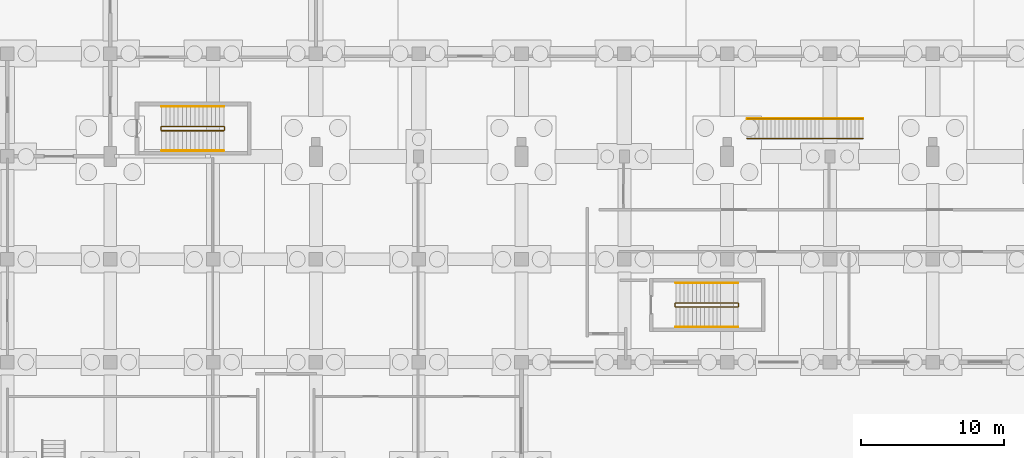
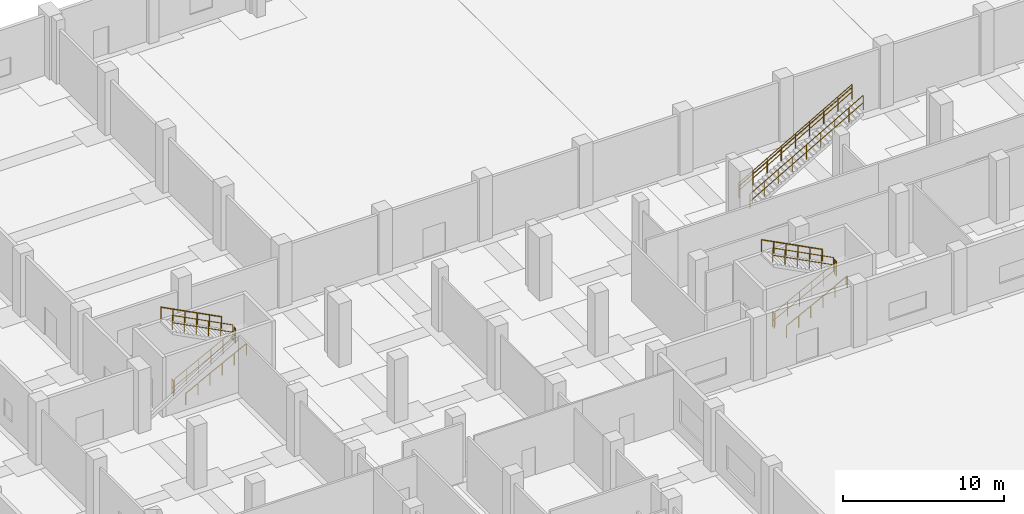
# One storey, part 43 of 48: 15 railings.
"""IFC4 building model written with IfcOpenShell, lengths in metres."""

from ifc_helpers import new_model, si_unit, direction, frame, origin, origin_2d, place, context, subcontext, project, spatial, circle, extrude, material, type_object, element, save


model = new_model("IFC4")

# Units and contexts
model_context = context("Model", 3, precision=1e-05, world=origin(), true_north=direction((0.0, 1.0)))
body_context = subcontext(model_context, "Body", "Model", "MODEL_VIEW")
ifc_project = project(units=[si_unit("LENGTHUNIT", "METRE"), si_unit("AREAUNIT", "SQUARE_METRE"), si_unit("VOLUMEUNIT", "CUBIC_METRE"), si_unit("PLANEANGLEUNIT", "RADIAN"), si_unit("MASSUNIT", "GRAM", prefix="KILO")], contexts=[model_context])

# Site, building, storey
site_placement = place(None, origin())
site = spatial("IfcSite", under=ifc_project, at=site_placement, CompositionType="ELEMENT")
building_placement = place(site_placement, origin())
building = spatial("IfcBuilding", under=site, at=building_placement, Name="Seraya Terrace Polytechnic", CompositionType="ELEMENT")
storey_placement = place(building_placement, origin())
storey = spatial("IfcBuildingStorey", under=building, at=storey_placement, Name="L00", CompositionType="ELEMENT", Elevation=0.0)

# Railings
ifc_material = material(Name="Steel S355J2", Category="steel")
railing_type_1 = type_object("IfcRailingType", Name="GR-02", PredefinedType="GUARDRAIL", material=ifc_material)
railing_1_placement = place(storey_placement, frame((54.0, 68.64990234375, 0.14990234375)))
element("IfcRailing", 1, at=railing_1_placement, inside=storey, type_object=railing_type_1, Name="L00 ST-06 stair guard 1", PredefinedType="GUARDRAIL", context=body_context, shape_type="SweptSolid", body=[
    extrude(circle(Radius=0.02392578125, at=origin_2d()), frame((0.0, 0.0, 1.10595703125), z_axis=(0.888221851817, 0.0, 0.459414782038), x_axis=(0.0, 1.0, 0.0)), (0.0, 0.0, 1.0), 4.8974609375),
    extrude(circle(Radius=0.02392578125, at=origin_2d()), frame((0.0, 0.0, 0.550048828125), z_axis=(0.888221851817, 0.0, 0.459414782038), x_axis=(0.0, 1.0, 0.0)), (0.0, 0.0, 1.0), 4.8974609375),
    extrude(circle(Radius=0.02099609375, at=origin_2d()), origin(), (0.0, 0.0, 1.0), 1.081787109375),
    extrude(circle(Radius=0.02099609375, at=origin_2d()), frame((0.8701171875, 0.0, 0.449951171875)), (0.0, 0.0, 1.0), 1.081787109375),
    extrude(circle(Radius=0.02099609375, at=origin_2d()), frame((1.739990234375, 0.0, 0.89990234375)), (0.0, 0.0, 1.0), 1.081787109375),
    extrude(circle(Radius=0.02099609375, at=origin_2d()), frame((2.610107421875, 0.0, 1.35009765625)), (0.0, 0.0, 1.0), 1.081787109375),
    extrude(circle(Radius=0.02099609375, at=origin_2d()), frame((3.47998046875, 0.0, 1.800048828125)), (0.0, 0.0, 1.0), 1.081787109375),
    extrude(circle(Radius=0.02099609375, at=origin_2d()), frame((4.35009765625, 0.0, 2.25)), (0.0, 0.0, 1.0), 1.081787109375),
])
railing_2_placement = place(storey_placement, frame((58.39990234375, 68.699951171875, 2.39990234375)))
element("IfcRailing", 2, at=railing_2_placement, inside=storey, type_object=railing_type_1, Name="L00 ST-06 stair guard 2", PredefinedType="GUARDRAIL", context=body_context, shape_type="SweptSolid", body=[
    extrude(circle(Radius=0.02392578125, at=origin_2d()), frame((0.0, 0.0, 1.10595703125), z_axis=(0.0, 1.0, 0.0), x_axis=(-1.0, 0.0, 0.0)), (0.0, 0.0, 1.0), 0.199951171875),
    extrude(circle(Radius=0.02392578125, at=origin_2d()), frame((0.0, 0.0, 0.550048828125), z_axis=(0.0, 1.0, 0.0), x_axis=(-1.0, 0.0, 0.0)), (0.0, 0.0, 1.0), 0.199951171875),
    extrude(circle(Radius=0.02099609375, at=origin_2d()), origin(), (0.0, 0.0, 1.0), 1.081787109375),
    extrude(circle(Radius=0.02099609375, at=origin_2d()), frame((0.0, 0.199951171875, 0.0)), (0.0, 0.0, 1.0), 1.081787109375),
])
railing_3_placement = place(storey_placement, frame((58.35009765625, 68.949951171875, 2.550048828125)))
element("IfcRailing", 3, at=railing_3_placement, inside=storey, type_object=railing_type_1, Name="L00 ST-06 stair guard 3", PredefinedType="GUARDRAIL", context=body_context, shape_type="SweptSolid", body=[
    extrude(circle(Radius=0.02392578125, at=origin_2d()), frame((0.0, 0.0, 1.10595703125), z_axis=(-0.888221851817, 0.0, 0.459414782038), x_axis=(0.0, -1.0, 0.0)), (0.0, 0.0, 1.0), 4.8974609375),
    extrude(circle(Radius=0.02392578125, at=origin_2d()), frame((0.0, 0.0, 0.550048828125), z_axis=(-0.888221851817, 0.0, 0.459414782038), x_axis=(0.0, -1.0, 0.0)), (0.0, 0.0, 1.0), 4.8974609375),
    extrude(circle(Radius=0.02099609375, at=origin_2d()), origin(), (0.0, 0.0, 1.0), 1.081787109375),
    extrude(circle(Radius=0.02099609375, at=origin_2d()), frame((-0.8701171875, 0.0, 0.449951171875)), (0.0, 0.0, 1.0), 1.081787109375),
    extrude(circle(Radius=0.02099609375, at=origin_2d()), frame((-1.739990234375, 0.0, 0.89990234375)), (0.0, 0.0, 1.0), 1.081787109375),
    extrude(circle(Radius=0.02099609375, at=origin_2d()), frame((-2.610107421875, 0.0, 1.35009765625)), (0.0, 0.0, 1.0), 1.081787109375),
    extrude(circle(Radius=0.02099609375, at=origin_2d()), frame((-3.47998046875, 0.0, 1.800048828125)), (0.0, 0.0, 1.0), 1.081787109375),
    extrude(circle(Radius=0.02099609375, at=origin_2d()), frame((-4.35009765625, 0.0, 2.25)), (0.0, 0.0, 1.0), 1.081787109375),
])
railing_4_placement = place(storey_placement, frame((53.949951171875, 68.699951171875, 0.0)))
element("IfcRailing", 4, at=railing_4_placement, inside=storey, type_object=railing_type_1, Name="L00 ST-06 stair guard 4", PredefinedType="GUARDRAIL", context=body_context, shape_type="SweptSolid", body=[
    extrude(circle(Radius=0.02392578125, at=origin_2d()), frame((0.0, 0.0, 1.10595703125), z_axis=(0.0, 1.0, 0.0), x_axis=(-1.0, 0.0, 0.0)), (0.0, 0.0, 1.0), 0.199951171875),
    extrude(circle(Radius=0.02392578125, at=origin_2d()), frame((0.0, 0.0, 0.550048828125), z_axis=(0.0, 1.0, 0.0), x_axis=(-1.0, 0.0, 0.0)), (0.0, 0.0, 1.0), 0.199951171875),
    extrude(circle(Radius=0.02099609375, at=origin_2d()), origin(), (0.0, 0.0, 1.0), 1.081787109375),
    extrude(circle(Radius=0.02099609375, at=origin_2d()), frame((0.0, 0.199951171875, 0.0)), (0.0, 0.0, 1.0), 1.081787109375),
])
railing_5_placement = place(storey_placement, frame((18.0, 81.0, 0.14990234375)))
element("IfcRailing", 5, at=railing_5_placement, inside=storey, type_object=railing_type_1, Name="L00 ST-07 stair guard 1", PredefinedType="GUARDRAIL", context=body_context, shape_type="SweptSolid", body=[
    extrude(circle(Radius=0.02392578125, at=origin_2d()), frame((0.0, 0.0, 1.10595703125), z_axis=(0.888221851817, 0.0, 0.459414782038), x_axis=(0.0, 1.0, 0.0)), (0.0, 0.0, 1.0), 4.8974609375),
    extrude(circle(Radius=0.02392578125, at=origin_2d()), frame((0.0, 0.0, 0.550048828125), z_axis=(0.888221851817, 0.0, 0.459414782038), x_axis=(0.0, 1.0, 0.0)), (0.0, 0.0, 1.0), 4.8974609375),
    extrude(circle(Radius=0.02099609375, at=origin_2d()), origin(), (0.0, 0.0, 1.0), 1.081787109375),
    extrude(circle(Radius=0.02099609375, at=origin_2d()), frame((0.8701171875, 0.0, 0.449951171875)), (0.0, 0.0, 1.0), 1.081787109375),
    extrude(circle(Radius=0.02099609375, at=origin_2d()), frame((1.739990234375, 0.0, 0.89990234375)), (0.0, 0.0, 1.0), 1.081787109375),
    extrude(circle(Radius=0.02099609375, at=origin_2d()), frame((2.610107421875, 0.0, 1.35009765625)), (0.0, 0.0, 1.0), 1.081787109375),
    extrude(circle(Radius=0.02099609375, at=origin_2d()), frame((3.47998046875, 0.0, 1.800048828125)), (0.0, 0.0, 1.0), 1.081787109375),
    extrude(circle(Radius=0.02099609375, at=origin_2d()), frame((4.35009765625, 0.0, 2.25)), (0.0, 0.0, 1.0), 1.081787109375),
])
railing_6_placement = place(storey_placement, frame((22.39990234375, 81.050048828125, 2.39990234375)))
element("IfcRailing", 6, at=railing_6_placement, inside=storey, type_object=railing_type_1, Name="L00 ST-07 stair guard 2", PredefinedType="GUARDRAIL", context=body_context, shape_type="SweptSolid", body=[
    extrude(circle(Radius=0.02392578125, at=origin_2d()), frame((0.0, 0.0, 1.10595703125), z_axis=(0.0, 1.0, 0.0), x_axis=(-1.0, 0.0, 0.0)), (0.0, 0.0, 1.0), 0.199951171875),
    extrude(circle(Radius=0.02392578125, at=origin_2d()), frame((0.0, 0.0, 0.550048828125), z_axis=(0.0, 1.0, 0.0), x_axis=(-1.0, 0.0, 0.0)), (0.0, 0.0, 1.0), 0.199951171875),
    extrude(circle(Radius=0.02099609375, at=origin_2d()), origin(), (0.0, 0.0, 1.0), 1.081787109375),
    extrude(circle(Radius=0.02099609375, at=origin_2d()), frame((0.0, 0.199951171875, 0.0)), (0.0, 0.0, 1.0), 1.081787109375),
])
railing_7_placement = place(storey_placement, frame((22.35009765625, 81.300048828125, 2.550048828125)))
element("IfcRailing", 7, at=railing_7_placement, inside=storey, type_object=railing_type_1, Name="L00 ST-07 stair guard 3", PredefinedType="GUARDRAIL", context=body_context, shape_type="SweptSolid", body=[
    extrude(circle(Radius=0.02392578125, at=origin_2d()), frame((0.0, 0.0, 1.10595703125), z_axis=(-0.888221851817, 0.0, 0.459414782038), x_axis=(0.0, -1.0, 0.0)), (0.0, 0.0, 1.0), 4.8974609375),
    extrude(circle(Radius=0.02392578125, at=origin_2d()), frame((0.0, 0.0, 0.550048828125), z_axis=(-0.888221851817, 0.0, 0.459414782038), x_axis=(0.0, -1.0, 0.0)), (0.0, 0.0, 1.0), 4.8974609375),
    extrude(circle(Radius=0.02099609375, at=origin_2d()), origin(), (0.0, 0.0, 1.0), 1.081787109375),
    extrude(circle(Radius=0.02099609375, at=origin_2d()), frame((-0.8701171875, 0.0, 0.449951171875)), (0.0, 0.0, 1.0), 1.081787109375),
    extrude(circle(Radius=0.02099609375, at=origin_2d()), frame((-1.739990234375, 0.0, 0.89990234375)), (0.0, 0.0, 1.0), 1.081787109375),
    extrude(circle(Radius=0.02099609375, at=origin_2d()), frame((-2.610107421875, 0.0, 1.35009765625)), (0.0, 0.0, 1.0), 1.081787109375),
    extrude(circle(Radius=0.02099609375, at=origin_2d()), frame((-3.47998046875, 0.0, 1.800048828125)), (0.0, 0.0, 1.0), 1.081787109375),
    extrude(circle(Radius=0.02099609375, at=origin_2d()), frame((-4.35009765625, 0.0, 2.25)), (0.0, 0.0, 1.0), 1.081787109375),
])
railing_8_placement = place(storey_placement, frame((17.949951171875, 81.050048828125, 0.0)))
element("IfcRailing", 8, at=railing_8_placement, inside=storey, type_object=railing_type_1, Name="L00 ST-07 stair guard 4", PredefinedType="GUARDRAIL", context=body_context, shape_type="SweptSolid", body=[
    extrude(circle(Radius=0.02392578125, at=origin_2d()), frame((0.0, 0.0, 1.10595703125), z_axis=(0.0, 1.0, 0.0), x_axis=(-1.0, 0.0, 0.0)), (0.0, 0.0, 1.0), 0.199951171875),
    extrude(circle(Radius=0.02392578125, at=origin_2d()), frame((0.0, 0.0, 0.550048828125), z_axis=(0.0, 1.0, 0.0), x_axis=(-1.0, 0.0, 0.0)), (0.0, 0.0, 1.0), 0.199951171875),
    extrude(circle(Radius=0.02099609375, at=origin_2d()), origin(), (0.0, 0.0, 1.0), 1.081787109375),
    extrude(circle(Radius=0.02099609375, at=origin_2d()), frame((0.0, 0.199951171875, 0.0)), (0.0, 0.0, 1.0), 1.081787109375),
])
for number, where, name in (
    (9, (59.0, 80.4599609375, 0.159912109375), "ST-13 flight guard L00"),
    (10, (59.0, 81.840087890625, 0.159912109375), "ST-13 flight outer guard L00"),
):
    element("IfcRailing", number, at=place(storey_placement, frame(where)), inside=storey, type_object=railing_type_1, Name=name, PredefinedType="GUARDRAIL", context=body_context, shape_type="SweptSolid", body=[
        extrude(circle(Radius=0.02392578125, at=origin_2d()), frame((0.0, 0.0, 1.10595703125), z_axis=(0.868239929229, 0.0, 0.496144560882), x_axis=(0.0, 1.0, 0.0)), (0.0, 0.0, 1.0), 9.352294921875),
        extrude(circle(Radius=0.02392578125, at=origin_2d()), frame((0.0, 0.0, 0.550048828125), z_axis=(0.868239929229, 0.0, 0.496144560882), x_axis=(0.0, 1.0, 0.0)), (0.0, 0.0, 1.0), 9.352294921875),
        extrude(circle(Radius=0.02099609375, at=origin_2d()), origin(), (0.0, 0.0, 1.0), 1.081787109375),
        extrude(circle(Radius=0.02099609375, at=origin_2d()), frame((1.01513671875, 0.0, 0.580078125)), (0.0, 0.0, 1.0), 1.081787109375),
        extrude(circle(Radius=0.02099609375, at=origin_2d()), frame((2.030029296875, 0.0, 1.16015625)), (0.0, 0.0, 1.0), 1.081787109375),
        extrude(circle(Radius=0.02099609375, at=origin_2d()), frame((3.044921875, 0.0, 1.739990234375)), (0.0, 0.0, 1.0), 1.081787109375),
        extrude(circle(Radius=0.02099609375, at=origin_2d()), frame((4.06005859375, 0.0, 2.320068359375)), (0.0, 0.0, 1.0), 1.081787109375),
        extrude(circle(Radius=0.02099609375, at=origin_2d()), frame((5.0751953125, 0.0, 2.900146484375)), (0.0, 0.0, 1.0), 1.081787109375),
        extrude(circle(Radius=0.02099609375, at=origin_2d()), frame((6.090087890625, 0.0, 3.47998046875)), (0.0, 0.0, 1.0), 1.081787109375),
        extrude(circle(Radius=0.02099609375, at=origin_2d()), frame((7.10498046875, 0.0, 4.06005859375)), (0.0, 0.0, 1.0), 1.081787109375),
        extrude(circle(Radius=0.02099609375, at=origin_2d()), frame((8.1201171875, 0.0, 4.64013671875)), (0.0, 0.0, 1.0), 1.081787109375),
    ])
railing_type_2 = type_object("IfcRailingType", Name="HR-01", PredefinedType="HANDRAIL", material=ifc_material)
railing_9_placement = place(storey_placement, frame((54.0, 67.25, 0.14990234375)))
element("IfcRailing", 11, at=railing_9_placement, inside=storey, type_object=railing_type_2, Name="L00 ST-06 stair handrail 1", PredefinedType="HANDRAIL", context=body_context, shape_type="SweptSolid", body=[
    extrude(circle(Radius=0.02392578125, at=origin_2d()), frame((0.0, 0.0, 0.8759765625), z_axis=(0.888221851817, 0.0, 0.459414782038), x_axis=(0.0, 1.0, 0.0)), (0.0, 0.0, 1.0), 4.8974609375),
    extrude(circle(Radius=0.02099609375, at=origin_2d()), origin(), (0.0, 0.0, 1.0), 0.851806640625),
    extrude(circle(Radius=0.02099609375, at=origin_2d()), frame((0.8701171875, 0.0, 0.449951171875)), (0.0, 0.0, 1.0), 0.851806640625),
    extrude(circle(Radius=0.02099609375, at=origin_2d()), frame((1.739990234375, 0.0, 0.89990234375)), (0.0, 0.0, 1.0), 0.851806640625),
    extrude(circle(Radius=0.02099609375, at=origin_2d()), frame((2.610107421875, 0.0, 1.35009765625)), (0.0, 0.0, 1.0), 0.851806640625),
    extrude(circle(Radius=0.02099609375, at=origin_2d()), frame((3.47998046875, 0.0, 1.800048828125)), (0.0, 0.0, 1.0), 0.851806640625),
    extrude(circle(Radius=0.02099609375, at=origin_2d()), frame((4.35009765625, 0.0, 2.25)), (0.0, 0.0, 1.0), 0.851806640625),
])
railing_10_placement = place(storey_placement, frame((58.35009765625, 70.35009765625, 2.550048828125)))
element("IfcRailing", 12, at=railing_10_placement, inside=storey, type_object=railing_type_2, Name="L00 ST-06 stair handrail 2", PredefinedType="HANDRAIL", context=body_context, shape_type="SweptSolid", body=[
    extrude(circle(Radius=0.02392578125, at=origin_2d()), frame((0.0, 0.0, 0.8759765625), z_axis=(-0.888221851817, 0.0, 0.459414782038), x_axis=(0.0, -1.0, 0.0)), (0.0, 0.0, 1.0), 4.8974609375),
    extrude(circle(Radius=0.02099609375, at=origin_2d()), origin(), (0.0, 0.0, 1.0), 0.851806640625),
    extrude(circle(Radius=0.02099609375, at=origin_2d()), frame((-0.8701171875, 0.0, 0.449951171875)), (0.0, 0.0, 1.0), 0.851806640625),
    extrude(circle(Radius=0.02099609375, at=origin_2d()), frame((-1.739990234375, 0.0, 0.89990234375)), (0.0, 0.0, 1.0), 0.851806640625),
    extrude(circle(Radius=0.02099609375, at=origin_2d()), frame((-2.610107421875, 0.0, 1.35009765625)), (0.0, 0.0, 1.0), 0.851806640625),
    extrude(circle(Radius=0.02099609375, at=origin_2d()), frame((-3.47998046875, 0.0, 1.800048828125)), (0.0, 0.0, 1.0), 0.851806640625),
    extrude(circle(Radius=0.02099609375, at=origin_2d()), frame((-4.35009765625, 0.0, 2.25)), (0.0, 0.0, 1.0), 0.851806640625),
])
railing_11_placement = place(storey_placement, frame((18.0, 79.60009765625, 0.14990234375)))
element("IfcRailing", 13, at=railing_11_placement, inside=storey, type_object=railing_type_2, Name="L00 ST-07 stair handrail 1", PredefinedType="HANDRAIL", context=body_context, shape_type="SweptSolid", body=[
    extrude(circle(Radius=0.02392578125, at=origin_2d()), frame((0.0, 0.0, 0.8759765625), z_axis=(0.888221851817, 0.0, 0.459414782038), x_axis=(0.0, 1.0, 0.0)), (0.0, 0.0, 1.0), 4.8974609375),
    extrude(circle(Radius=0.02099609375, at=origin_2d()), origin(), (0.0, 0.0, 1.0), 0.851806640625),
    extrude(circle(Radius=0.02099609375, at=origin_2d()), frame((0.8701171875, 0.0, 0.449951171875)), (0.0, 0.0, 1.0), 0.851806640625),
    extrude(circle(Radius=0.02099609375, at=origin_2d()), frame((1.739990234375, 0.0, 0.89990234375)), (0.0, 0.0, 1.0), 0.851806640625),
    extrude(circle(Radius=0.02099609375, at=origin_2d()), frame((2.610107421875, 0.0, 1.35009765625)), (0.0, 0.0, 1.0), 0.851806640625),
    extrude(circle(Radius=0.02099609375, at=origin_2d()), frame((3.47998046875, 0.0, 1.800048828125)), (0.0, 0.0, 1.0), 0.851806640625),
    extrude(circle(Radius=0.02099609375, at=origin_2d()), frame((4.35009765625, 0.0, 2.25)), (0.0, 0.0, 1.0), 0.851806640625),
])
railing_12_placement = place(storey_placement, frame((22.35009765625, 82.699951171875, 2.550048828125)))
element("IfcRailing", 14, at=railing_12_placement, inside=storey, type_object=railing_type_2, Name="L00 ST-07 stair handrail 2", PredefinedType="HANDRAIL", context=body_context, shape_type="SweptSolid", body=[
    extrude(circle(Radius=0.02392578125, at=origin_2d()), frame((0.0, 0.0, 0.8759765625), z_axis=(-0.888221851817, 0.0, 0.459414782038), x_axis=(0.0, -1.0, 0.0)), (0.0, 0.0, 1.0), 4.8974609375),
    extrude(circle(Radius=0.02099609375, at=origin_2d()), origin(), (0.0, 0.0, 1.0), 0.851806640625),
    extrude(circle(Radius=0.02099609375, at=origin_2d()), frame((-0.8701171875, 0.0, 0.449951171875)), (0.0, 0.0, 1.0), 0.851806640625),
    extrude(circle(Radius=0.02099609375, at=origin_2d()), frame((-1.739990234375, 0.0, 0.89990234375)), (0.0, 0.0, 1.0), 0.851806640625),
    extrude(circle(Radius=0.02099609375, at=origin_2d()), frame((-2.610107421875, 0.0, 1.35009765625)), (0.0, 0.0, 1.0), 0.851806640625),
    extrude(circle(Radius=0.02099609375, at=origin_2d()), frame((-3.47998046875, 0.0, 1.800048828125)), (0.0, 0.0, 1.0), 0.851806640625),
    extrude(circle(Radius=0.02099609375, at=origin_2d()), frame((-4.35009765625, 0.0, 2.25)), (0.0, 0.0, 1.0), 0.851806640625),
])
railing_13_placement = place(storey_placement, frame((59.0, 81.840087890625, 0.159912109375)))
element("IfcRailing", 15, at=railing_13_placement, inside=storey, type_object=railing_type_2, Name="ST-13 handrail L00", PredefinedType="HANDRAIL", context=body_context, shape_type="SweptSolid", body=[
    extrude(circle(Radius=0.02392578125, at=origin_2d()), frame((0.0, 0.0, 0.8759765625), z_axis=(0.868239929229, 0.0, 0.496144560882), x_axis=(0.0, 1.0, 0.0)), (0.0, 0.0, 1.0), 9.352294921875),
    extrude(circle(Radius=0.02099609375, at=origin_2d()), origin(), (0.0, 0.0, 1.0), 0.851806640625),
    extrude(circle(Radius=0.02099609375, at=origin_2d()), frame((1.01513671875, 0.0, 0.580078125)), (0.0, 0.0, 1.0), 0.851806640625),
    extrude(circle(Radius=0.02099609375, at=origin_2d()), frame((2.030029296875, 0.0, 1.16015625)), (0.0, 0.0, 1.0), 0.851806640625),
    extrude(circle(Radius=0.02099609375, at=origin_2d()), frame((3.044921875, 0.0, 1.739990234375)), (0.0, 0.0, 1.0), 0.851806640625),
    extrude(circle(Radius=0.02099609375, at=origin_2d()), frame((4.06005859375, 0.0, 2.320068359375)), (0.0, 0.0, 1.0), 0.851806640625),
    extrude(circle(Radius=0.02099609375, at=origin_2d()), frame((5.0751953125, 0.0, 2.900146484375)), (0.0, 0.0, 1.0), 0.851806640625),
    extrude(circle(Radius=0.02099609375, at=origin_2d()), frame((6.090087890625, 0.0, 3.47998046875)), (0.0, 0.0, 1.0), 0.851806640625),
    extrude(circle(Radius=0.02099609375, at=origin_2d()), frame((7.10498046875, 0.0, 4.06005859375)), (0.0, 0.0, 1.0), 0.851806640625),
    extrude(circle(Radius=0.02099609375, at=origin_2d()), frame((8.1201171875, 0.0, 4.64013671875)), (0.0, 0.0, 1.0), 0.851806640625),
])

save(model, "model.ifc")
